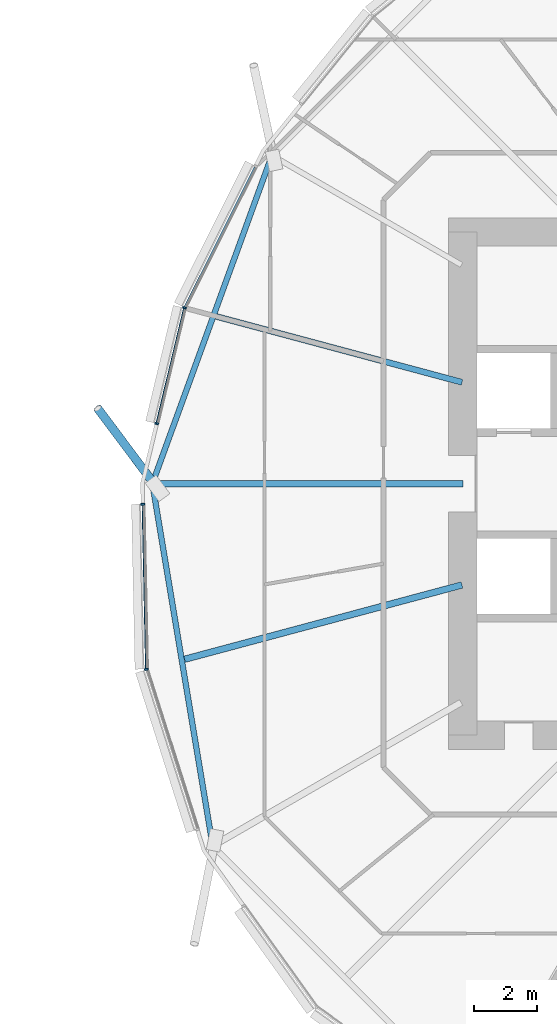
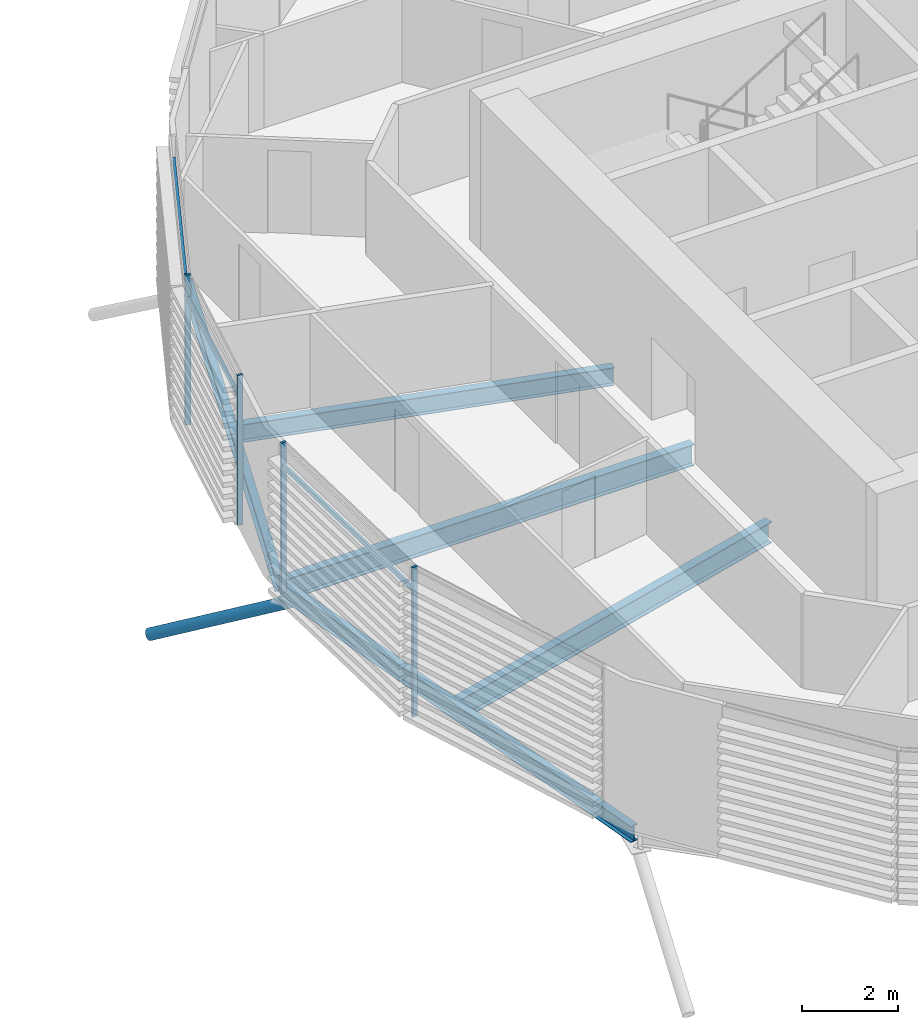
# One storey, part 13 of 38: 8 members, 5 beams, 1 element without a shape of its own.
"""IFC4 building model written with IfcOpenShell, lengths in metres."""

from ifc_helpers import new_model, si_unit, direction, frame, origin, origin_2d, place, context, subcontext, project, spatial, rectangle, hollow_circle, i_section, extrude, clip, halfspace, material, material_profile, profile_set, type_object, element, aggregate, save


model = new_model("IFC4")

# Units and contexts
model_context = context("Model", 3, precision=1e-05, world=origin(), true_north=direction((0.0, 1.0)))
body_context = subcontext(model_context, "Body", "Model", "MODEL_VIEW")
ifc_project = project(units=[si_unit("LENGTHUNIT", "METRE"), si_unit("AREAUNIT", "SQUARE_METRE"), si_unit("VOLUMEUNIT", "CUBIC_METRE"), si_unit("PLANEANGLEUNIT", "RADIAN"), si_unit("MASSUNIT", "GRAM", prefix="KILO")], contexts=[model_context])

# Site, building, storey
site_placement = place(None, origin())
site = spatial("IfcSite", under=ifc_project, at=site_placement, CompositionType="ELEMENT")
building_placement = place(site_placement, origin())
building = spatial("IfcBuilding", under=site, at=building_placement, Name="Rimbun Link Towers", CompositionType="ELEMENT")
storey_placement = place(building_placement, frame((0.0, 0.0, 71.800048828125)))
storey = spatial("IfcBuildingStorey", under=building, at=storey_placement, Name="L17", CompositionType="ELEMENT", Elevation=71.800048828125)

# Curtain wall, members
ifc_material_1 = material(Name="Aluminium 6063-T6 and low-iron glass", Category="aluminium")
curtain_wall_type = type_object("IfcCurtainWallType", Name="CW1 unitised vision wall", PredefinedType="NOTDEFINED", material=ifc_material_1)
curtain_wall_placement = place(storey_placement, origin())
curtain_wall = element("IfcCurtainWall", 1, at=curtain_wall_placement, inside=storey, type_object=curtain_wall_type, Name="CW1 L17 T2", PredefinedType="NOTDEFINED")
ifc_material_2 = material(Name="Aluminium 6063-T6", Category="aluminium")
ifc_material_profile_1 = material_profile(ifc_material_2, rectangle(XDim=0.1201171875, YDim=0.06005859375, at=origin_2d()), Name="MULLION 60X120")
ifc_profile_set_1 = profile_set([ifc_material_profile_1], Name="Aluminium 6063-T6")
member_type_1 = type_object("IfcMemberType", Name="CW1 mullion 60X120", PredefinedType="MULLION", material=ifc_profile_set_1)
member_1_placement = place(storey_placement, frame((10.8974609375, 5.593017578125, 0.0), z_axis=(0.0, 0.0, 1.0), x_axis=(-0.939346368321, 0.34296997, 0.0)))
member_1 = element("IfcMember", 2, at=member_1_placement, type_object=member_type_1, Name="CW1 mullion", PredefinedType="MULLION", context=body_context, shape_type="SweptSolid", body=[
    extrude(rectangle(XDim=0.1201171875, YDim=0.06005859375, at=origin_2d()), origin(), (0.0, 0.0, 1.0), 3.800048828125),
])
member_2_placement = place(storey_placement, frame((10.01611328125, 1.910400390625, 0.0), z_axis=(0.0, 0.0, 1.0), x_axis=(-0.972572197016, 0.232601207201, 0.0)))
member_2 = element("IfcMember", 3, at=member_2_placement, type_object=member_type_1, Name="CW1 mullion", PredefinedType="MULLION", context=body_context, shape_type="SweptSolid", body=[
    extrude(rectangle(XDim=0.1201171875, YDim=0.06005859375, at=origin_2d()), origin(), (0.0, 0.0, 1.0), 3.800048828125),
])
member_3_placement = place(storey_placement, frame((9.68603515625, -5.906005859375, 0.0), z_axis=(0.0, 0.0, 1.0), x_axis=(-0.986502827503, -0.16374422533, 0.0)))
member_3 = element("IfcMember", 4, at=member_3_placement, type_object=member_type_1, Name="CW1 mullion", PredefinedType="MULLION", context=body_context, shape_type="SweptSolid", body=[
    extrude(rectangle(XDim=0.1201171875, YDim=0.06005859375, at=origin_2d()), origin(), (0.0, 0.0, 1.0), 3.800048828125),
])
member_4_placement = place(storey_placement, frame((9.57470703125, -0.651123046875, 0.0), z_axis=(0.0, 0.0, 1.0), x_axis=(-0.999778219026, -0.021059742681, 0.0)))
member_4 = element("IfcMember", 5, at=member_4_placement, type_object=member_type_1, Name="CW1 mullion", PredefinedType="MULLION", context=body_context, shape_type="SweptSolid", body=[
    extrude(rectangle(XDim=0.1201171875, YDim=0.06005859375, at=origin_2d()), origin(), (0.0, 0.0, 1.0), 3.800048828125),
])
ifc_material_3 = material(Name="Aluminium 6063-T6", Category="aluminium")
ifc_material_profile_2 = material_profile(ifc_material_3, rectangle(XDim=0.06005859375, YDim=0.1201171875, at=origin_2d()), Name="TRANSOM 60X120")
ifc_profile_set_2 = profile_set([ifc_material_profile_2], Name="Aluminium 6063-T6")
member_type_2 = type_object("IfcMemberType", Name="CW1 transom 60X120", PredefinedType="USERDEFINED", material=ifc_profile_set_2)
member_5_placement = place(storey_placement, frame((10.915283203125, 5.625244140625, 3.199951171875), z_axis=(0.448784313337, 0.893640106588, 0.0), x_axis=(-0.893640106588, 0.448784313337, 0.0)))
member_5 = element("IfcMember", 6, at=member_5_placement, type_object=member_type_2, Name="CW1 transom", ObjectType="TRANSOM", PredefinedType="USERDEFINED", context=body_context, shape_type="SweptSolid", body=[
    extrude(rectangle(XDim=0.06005859375, YDim=0.1201171875, at=origin_2d()), origin(), (0.0, 0.0, 1.0), 4.9716796875),
])
member_6_placement = place(storey_placement, frame((10.025146484375, 1.939208984375, 3.199951171875), z_axis=(0.232623153405, 0.972566948081, 0.0), x_axis=(-0.972566948081, 0.232623153405, 0.0)))
member_6 = element("IfcMember", 7, at=member_6_placement, type_object=member_type_2, Name="CW1 transom", ObjectType="TRANSOM", PredefinedType="USERDEFINED", context=body_context, shape_type="SweptSolid", body=[
    extrude(rectangle(XDim=0.06005859375, YDim=0.1201171875, at=origin_2d()), origin(), (0.0, 0.0, 1.0), 3.719482421875),
])
member_7_placement = place(storey_placement, frame((9.6865234375, -5.867431640625, 3.199951171875), z_axis=(-0.021037568732, 0.999778685861, 0.0), x_axis=(-0.999778685861, -0.021037568732, 0.0)))
member_7 = element("IfcMember", 8, at=member_7_placement, type_object=member_type_2, Name="CW1 transom", ObjectType="TRANSOM", PredefinedType="USERDEFINED", context=body_context, shape_type="SweptSolid", body=[
    extrude(rectangle(XDim=0.06005859375, YDim=0.1201171875, at=origin_2d()), origin(), (0.0, 0.0, 1.0), 5.1875),
])
aggregate(curtain_wall, [member_1, member_2, member_3, member_4, member_5, member_6, member_7])

# Member
ifc_material_4 = material(Name="Steel S355J2H", Category="steel")
ifc_material_profile_3 = material_profile(ifc_material_4, hollow_circle(Radius=0.136474609375, WallThickness=0.012451171875, at=origin_2d()), Name="CHS 273x12.5")
ifc_profile_set_3 = profile_set([ifc_material_profile_3], Name="Steel S355J2H")
member_type_3 = type_object("IfcMemberType", Name="Floor edge link CHS 273x12.5", PredefinedType="BRACE", material=ifc_profile_set_3)
member_8_placement = place(storey_placement, frame((9.927978515625, 0.0, -0.813720703125), z_axis=(-0.527654460336, 0.705809532881, -0.472666556657), x_axis=(-0.800926475669, -0.598762708067, 0.0)))
element("IfcMember", 9, at=member_8_placement, inside=storey, type_object=member_type_3, Name="Floor edge link T2 L17 09", PredefinedType="BRACE", context=body_context, shape_type="Clipping", body=[
    clip(extrude(hollow_circle(Radius=0.136474609375, WallThickness=0.012451171875, at=origin_2d()), frame((0.0, 0.0, -0.530029296875)), (0.0, 0.0, 1.0), 3.935546875), halfspace(frame((0.0, 0.0, -0.2509765625), z_axis=(0.0, 0.881241355259, -0.472666556657)), False)),
])

# Beams
ifc_material_5 = material(Name="Steel S355J2", Category="steel")
ifc_material_profile_4 = material_profile(ifc_material_5, i_section(OverallWidth=0.177978515625, OverallDepth=0.406494140625, WebThickness=0.0078125, FlangeThickness=0.0126953125, at=origin_2d()), Name="UB 406x178x60")
ifc_profile_set_4 = profile_set([ifc_material_profile_4], Name="Steel S355J2")
beam_type_1 = type_object("IfcBeamType", Name="UB 406x178x60", PredefinedType="BEAM", material=ifc_profile_set_4)
beam_1_placement = place(storey_placement, frame((13.647705078125, 10.351318359375, -0.36328125), z_axis=(-0.342190666509, -0.9396305379, 0.0), x_axis=(0.9396305379, -0.342190666509, 0.0)))
element("IfcBeam", 10, at=beam_1_placement, inside=storey, type_object=beam_type_1, Name="Edge beam T2 L17 07-09", PredefinedType="BEAM", context=body_context, shape_type="SweptSolid", body=[
    extrude(i_section(OverallWidth=0.177978515625, OverallDepth=0.406494140625, WebThickness=0.0078125, FlangeThickness=0.0126953125, at=origin_2d()), origin(), (0.0, 0.0, 1.0), 10.90380859375),
])
beam_2_placement = place(storey_placement, frame((9.8955078125, -0.105712890625, -0.36328125), z_axis=(0.164243513251, -0.986419823582, 0.0), x_axis=(0.986419823582, 0.164243513251, 0.0)))
element("IfcBeam", 11, at=beam_2_placement, inside=storey, type_object=beam_type_1, Name="Edge beam T2 L17 09-11", PredefinedType="BEAM", context=body_context, shape_type="SweptSolid", body=[
    extrude(i_section(OverallWidth=0.177978515625, OverallDepth=0.406494140625, WebThickness=0.0078125, FlangeThickness=0.0126953125, at=origin_2d()), origin(), (0.0, 0.0, 1.0), 11.458984375),
])
ifc_material_6 = material(Name="Steel S355J2", Category="steel")
ifc_material_profile_5 = material_profile(ifc_material_6, i_section(OverallWidth=0.18994140625, OverallDepth=0.453369140625, WebThickness=0.008544921875, FlangeThickness=0.0126953125, at=origin_2d()), Name="UB 457x191x67")
ifc_profile_set_5 = profile_set([ifc_material_profile_5], Name="Steel S355J2")
beam_type_2 = type_object("IfcBeamType", Name="UB 457x191x67", PredefinedType="BEAM", material=ifc_profile_set_5)
beam_3_placement = place(storey_placement, frame((19.724609375, 3.22216796875, -0.38671875), z_axis=(-0.96592420956, 0.25882507874, 0.0), x_axis=(-0.25882507874, -0.96592420956, 0.0)))
element("IfcBeam", 12, at=beam_3_placement, inside=storey, type_object=beam_type_2, Name="Radial beam T2 L17 08", PredefinedType="BEAM", context=body_context, shape_type="SweptSolid", body=[
    extrude(i_section(OverallWidth=0.18994140625, OverallDepth=0.453369140625, WebThickness=0.008544921875, FlangeThickness=0.0126953125, at=origin_2d()), origin(), (0.0, 0.0, 1.0), 8.09033203125),
])
ifc_material_7 = material(Name="Steel S355J2", Category="steel")
ifc_material_profile_6 = material_profile(ifc_material_7, i_section(OverallWidth=0.209228515625, OverallDepth=0.533203125, WebThickness=0.010009765625, FlangeThickness=0.015625, at=origin_2d()), Name="UB 533x210x92")
ifc_profile_set_6 = profile_set([ifc_material_profile_6], Name="Steel S355J2")
beam_type_3 = type_object("IfcBeamType", Name="UB 533x210x92", PredefinedType="BEAM", material=ifc_profile_set_6)
beam_4_placement = place(storey_placement, frame((19.7490234375, 0.0, -0.426513671875), z_axis=(-1.0, 0.0, 0.0), x_axis=(0.0, -1.0, 0.0)))
element("IfcBeam", 13, at=beam_4_placement, inside=storey, type_object=beam_type_3, Name="Radial beam T2 L17 09", PredefinedType="BEAM", context=body_context, shape_type="SweptSolid", body=[
    extrude(i_section(OverallWidth=0.209228515625, OverallDepth=0.533203125, WebThickness=0.010009765625, FlangeThickness=0.015625, at=origin_2d()), origin(), (0.0, 0.0, 1.0), 9.870849609375),
])
beam_5_placement = place(storey_placement, frame((19.721923828125, -3.222900390625, -0.426513671875), z_axis=(-0.965925024177, -0.258822038606, 0.0), x_axis=(0.258822038606, -0.965925024177, 0.0)))
element("IfcBeam", 14, at=beam_5_placement, inside=storey, type_object=beam_type_3, Name="Radial beam T2 L17 10", PredefinedType="BEAM", context=body_context, shape_type="SweptSolid", body=[
    extrude(i_section(OverallWidth=0.209228515625, OverallDepth=0.533203125, WebThickness=0.010009765625, FlangeThickness=0.015625, at=origin_2d()), origin(), (0.0, 0.0, 1.0), 9.1337890625),
])

save(model, "model.ifc")
